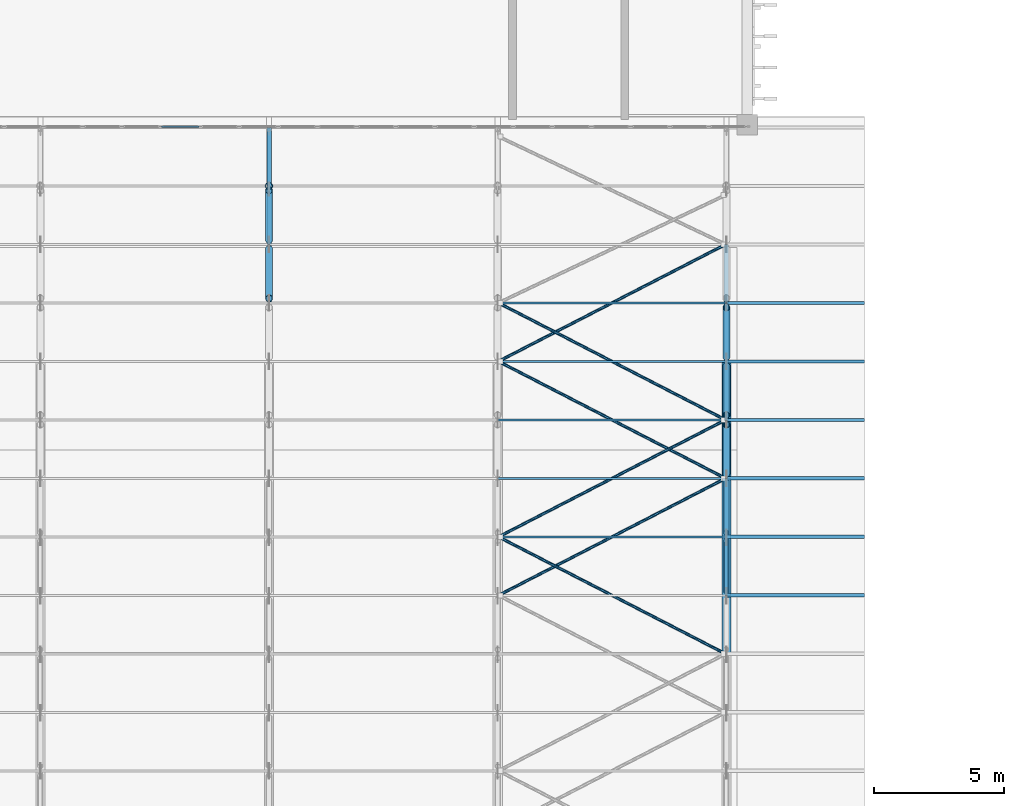
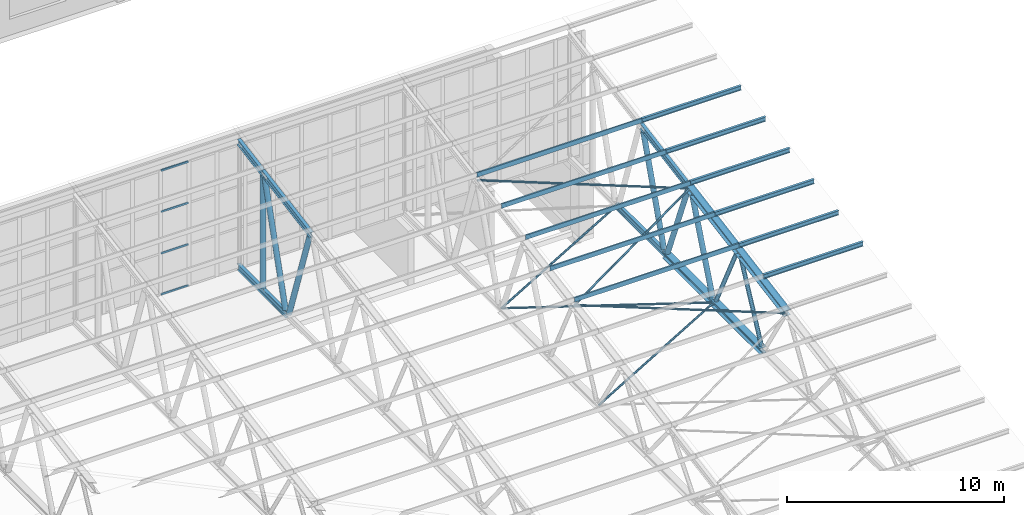
# One storey, part 64 of 185: 38 members, 1 element without a shape of its own.
"""IFC4 building model written with IfcOpenShell, lengths in metres."""

from ifc_helpers import new_model, si_unit, direction, frame, origin, origin_2d, place, context, subcontext, project, spatial, polyline, hollow_rectangle, hollow_circle, i_section, outline, extrude, material, layer, layer_set, material_profile, profile_set, type_object, element, aggregate, save


model = new_model("IFC4")

# Units and contexts
model_context = context("Model", 3, precision=1e-05, world=origin(), true_north=direction((0.0, 1.0)))
body_context = subcontext(model_context, "Body", "Model", "MODEL_VIEW")
ifc_project = project(units=[si_unit("LENGTHUNIT", "METRE"), si_unit("AREAUNIT", "SQUARE_METRE"), si_unit("VOLUMEUNIT", "CUBIC_METRE"), si_unit("PLANEANGLEUNIT", "RADIAN"), si_unit("MASSUNIT", "GRAM", prefix="KILO")], contexts=[model_context])

# Site, building, storey
site_placement = place(None, origin())
site = spatial("IfcSite", under=ifc_project, at=site_placement, CompositionType="ELEMENT")
building_placement = place(site_placement, origin())
building = spatial("IfcBuilding", under=site, at=building_placement, Name="Opaline Strait Convention Centre", CompositionType="ELEMENT")
storey_placement = place(building_placement, frame((0.0, 0.0, 6.0)))
storey = spatial("IfcBuildingStorey", under=building, at=storey_placement, Name="L01", CompositionType="ELEMENT", Elevation=6.0)

# Curtain wall, members
ifc_material_1 = material(Name="Aluminium 6063-T5", Category="aluminium")
ifc_layer = layer(ifc_material_1, 0.199951171875)
ifc_layer_set = layer_set([ifc_layer], Name="Aluminium 6063-T5")
curtain_wall_type = type_object("IfcCurtainWallType", Name="Unitised curtain wall 1640 module", PredefinedType="NOTDEFINED", material=ifc_layer_set)
curtain_wall_placement = place(storey_placement, origin())
curtain_wall = element("IfcCurtainWall", 1, at=curtain_wall_placement, inside=storey, type_object=curtain_wall_type, Name="Ballroom north clerestory curtain wall", PredefinedType="NOTDEFINED")
ifc_material_2 = material(Name="Aluminium alloy 6063", Category="aluminium")
ifc_material_profile_1 = material_profile(ifc_material_2, hollow_rectangle(XDim=0.06005859375, YDim=0.10009765625, WallThickness=0.0029296875, at=origin_2d()), Name="TRANSOM 60x100x3")
ifc_profile_set_1 = profile_set([ifc_material_profile_1], Name="Aluminium alloy 6063")
member_type_1 = type_object("IfcMemberType", Name="Curtain wall transom 60 x 100", PredefinedType="USERDEFINED", material=ifc_profile_set_1)
member_1_placement = place(storey_placement, frame((328.53857421875, 62.929931640625, 4.35498046875), z_axis=(1.0, 0.0, 0.0), x_axis=(0.0, 1.0, 0.0)))
member_1 = element("IfcMember", 2, at=member_1_placement, type_object=member_type_1, Name="BG2 transom 28.1", ObjectType="TRANSOM", PredefinedType="USERDEFINED", context=body_context, shape_type="SweptSolid", body=[
    extrude(hollow_rectangle(XDim=0.06005859375, YDim=0.10009765625, WallThickness=0.0029296875, at=origin_2d()), origin(), (0.0, 0.0, 1.0), 1.44140625),
])
member_2_placement = place(storey_placement, frame((328.53857421875, 62.929931640625, 6.663330078125), z_axis=(1.0, 0.0, 0.0), x_axis=(0.0, 1.0, 0.0)))
member_2 = element("IfcMember", 3, at=member_2_placement, type_object=member_type_1, Name="BG2 transom 28.2", ObjectType="TRANSOM", PredefinedType="USERDEFINED", context=body_context, shape_type="SweptSolid", body=[
    extrude(hollow_rectangle(XDim=0.06005859375, YDim=0.10009765625, WallThickness=0.0029296875, at=origin_2d()), origin(), (0.0, 0.0, 1.0), 1.44140625),
])
member_3_placement = place(storey_placement, frame((328.53857421875, 62.929931640625, 9.001708984375), z_axis=(1.0, 0.0, 0.0), x_axis=(0.0, 1.0, 0.0)))
member_3 = element("IfcMember", 4, at=member_3_placement, type_object=member_type_1, Name="BG2 transom 28.3", ObjectType="TRANSOM", PredefinedType="USERDEFINED", context=body_context, shape_type="SweptSolid", body=[
    extrude(hollow_rectangle(XDim=0.06005859375, YDim=0.10009765625, WallThickness=0.0029296875, at=origin_2d()), origin(), (0.0, 0.0, 1.0), 1.44140625),
])
member_4_placement = place(storey_placement, frame((328.53857421875, 62.929931640625, 11.31005859375), z_axis=(1.0, 0.0, 0.0), x_axis=(0.0, 1.0, 0.0)))
member_4 = element("IfcMember", 5, at=member_4_placement, type_object=member_type_1, Name="BG2 transom 28.4", ObjectType="TRANSOM", PredefinedType="USERDEFINED", context=body_context, shape_type="SweptSolid", body=[
    extrude(hollow_rectangle(XDim=0.06005859375, YDim=0.10009765625, WallThickness=0.0029296875, at=origin_2d()), origin(), (0.0, 0.0, 1.0), 1.44140625),
])
aggregate(curtain_wall, [member_1, member_2, member_3, member_4])

# Members
ifc_material_3 = material(Name="Steel Q355B", Category="steel")
ifc_material_profile_2 = material_profile(ifc_material_3, i_section(OverallWidth=0.125, OverallDepth=0.25, WebThickness=0.006103515625, FlangeThickness=0.009033203125, FilletRadius=0.008056640625, at=origin_2d()), Name="HN 250x125x6x9")
ifc_profile_set_2 = profile_set([ifc_material_profile_2], Name="Steel Q355B")
member_type_2 = type_object("IfcMemberType", Name="Eaves purlin HN 250x125x6x9", PredefinedType="RAFTER", material=ifc_profile_set_2)
for number, where, z_axis, x_axis, name in (
    (6, (350.199951171875, 44.949951171875, 8.675537109375), (1.0, 0.0, 0.0), (0.0, 1.0, 0.0), "BU2 purlin line 10 bay 9"),
    (7, (350.199951171875, 47.19384765625, 9.0712890625), (1.0, 0.0, 0.0), (0.0, 1.0, 0.0), "BU2 purlin line 11 bay 9"),
    (8, (350.199951171875, 49.4375, 9.467041015625), (1.0, 0.0, 0.0), (0.0, 1.0, 0.0), "BU2 purlin line 12 bay 9"),
    (9, (350.199951171875, 51.68115234375, 9.862548828125), (1.0, 0.0, 0.0), (0.0, 1.0, 0.0), "BU2 purlin line 13 bay 9"),
    (10, (350.199951171875, 53.925048828125, 10.25830078125), (1.0, 0.0, 0.0), (0.0, 1.0, 0.0), "BU2 purlin line 14 bay 9"),
    (11, (350.199951171875, 56.168701171875, 10.65380859375), (1.0, 0.0, 0.0), (0.0, 1.0, 0.0), "BU2 purlin line 15 bay 9"),
):
    element("IfcMember", number, at=place(storey_placement, frame(where, z_axis=z_axis, x_axis=x_axis)), inside=storey, type_object=member_type_2, Name=name, PredefinedType="RAFTER", context=body_context, shape_type="SweptSolid", body=[
        extrude(i_section(OverallWidth=0.125, OverallDepth=0.25, WebThickness=0.006103515625, FlangeThickness=0.009033203125, FilletRadius=0.008056640625, at=origin_2d()), origin(), (0.0, 0.0, 1.0), 5.300048828125),
    ])
ifc_material_profile_3 = material_profile(ifc_material_3, hollow_circle(Radius=0.056884765625, WallThickness=0.006103515625, at=origin_2d()), Name="CHS 114x6")
ifc_profile_set_3 = profile_set([ifc_material_profile_3], Name="Steel Q355B")
member_type_3 = type_object("IfcMemberType", Name="Roof plan brace CHS 114x6", PredefinedType="BRACE", material=ifc_profile_set_3)
member_5_placement = place(storey_placement, frame((350.16796875, 42.706298828125, 7.969482421875), z_axis=(-0.886011642776, 0.456619189308, 0.080512637645), x_axis=(-0.458106391397, -0.88889736987, 0.0)))
element("IfcMember", 12, at=member_5_placement, inside=storey, type_object=member_type_3, Name="BR1 top plane brace end bay 2 panel 4", PredefinedType="BRACE", context=body_context, shape_type="SweptSolid", body=[
    extrude(hollow_circle(Radius=0.056884765625, WallThickness=0.006103515625, at=origin_2d()), origin(), (0.0, 0.0, 1.0), 9.827880859375),
])
member_6_placement = place(storey_placement, frame((341.46044921875, 47.19384765625, 8.7607421875), z_axis=(0.886021692964, 0.456599526627, 0.080513550914), x_axis=(-0.458086698578, 0.888907518579, 0.0)))
element("IfcMember", 13, at=member_6_placement, inside=storey, type_object=member_type_3, Name="BR1 top plane brace end bay 2 panel 5", PredefinedType="BRACE", context=body_context, shape_type="SweptSolid", body=[
    extrude(hollow_circle(Radius=0.056884765625, WallThickness=0.006103515625, at=origin_2d()), origin(), (0.0, 0.0, 1.0), 9.82763671875),
])
member_7_placement = place(storey_placement, frame((350.16796875, 51.68115234375, 9.552001953125), z_axis=(-0.886065031129, 0.456518705493, 0.080494919999), x_axis=(-0.458004922776, -0.888949655893, 0.0)))
element("IfcMember", 14, at=member_7_placement, inside=storey, type_object=member_type_3, Name="BR1 top plane brace end bay 2 panel 6", PredefinedType="BRACE", context=body_context, shape_type="SweptSolid", body=[
    extrude(hollow_circle(Radius=0.056884765625, WallThickness=0.006103515625, at=origin_2d()), origin(), (0.0, 0.0, 1.0), 9.829833984375),
])
member_8_placement = place(storey_placement, frame((341.46044921875, 44.949951171875, 4.5), z_axis=(0.88889736987, 0.458106391397, 0.0), x_axis=(-0.458106391397, 0.88889736987, 0.0)))
element("IfcMember", 15, at=member_8_placement, inside=storey, type_object=member_type_3, Name="BR1 bottom plane brace end bay 2 panel 5", PredefinedType="BRACE", context=body_context, shape_type="SweptSolid", body=[
    extrude(hollow_circle(Radius=0.056884765625, WallThickness=0.006103515625, at=origin_2d()), origin(), (0.0, 0.0, 1.0), 9.7958984375),
])
member_9_placement = place(storey_placement, frame((350.16796875, 49.4375, 4.5), z_axis=(-0.888949655893, 0.458004922776, 0.0), x_axis=(-0.458004922776, -0.888949655893, 0.0)))
element("IfcMember", 16, at=member_9_placement, inside=storey, type_object=member_type_3, Name="BR1 bottom plane brace end bay 2 panel 6", PredefinedType="BRACE", context=body_context, shape_type="SweptSolid", body=[
    extrude(hollow_circle(Radius=0.056884765625, WallThickness=0.006103515625, at=origin_2d()), origin(), (0.0, 0.0, 1.0), 9.798095703125),
])
member_10_placement = place(storey_placement, frame((341.4580078125, 53.925048828125, 4.5), z_axis=(0.889007130404, 0.457893352312, 0.0), x_axis=(-0.457893352312, 0.889007130404, 0.0)))
element("IfcMember", 17, at=member_10_placement, inside=storey, type_object=member_type_3, Name="BR1 bottom plane brace end bay 2 panel 7", PredefinedType="BRACE", context=body_context, shape_type="SweptSolid", body=[
    extrude(hollow_circle(Radius=0.056884765625, WallThickness=0.006103515625, at=origin_2d()), origin(), (0.0, 0.0, 1.0), 9.800537109375),
])
ifc_material_profile_4 = material_profile(ifc_material_3, outline(polyline([(-0.03759765625, -0.125), (0.03759765625, -0.125), (0.03759765625, -0.10498046875), (0.034423828125, -0.10498046875), (0.034423828125, -0.1220703125), (-0.034423828125, -0.1220703125), (-0.034423828125, 0.1220703125), (0.034423828125, 0.1220703125), (0.034423828125, 0.10498046875), (0.03759765625, 0.10498046875), (0.03759765625, 0.125), (-0.03759765625, 0.125), (-0.03759765625, -0.125)])), Name="C 250x75x20x3")
ifc_profile_set_4 = profile_set([ifc_material_profile_4], Name="Steel Q355B")
member_type_4 = type_object("IfcMemberType", Name="Roof purlin C 250x75x20x3", PredefinedType="RAFTER", material=ifc_profile_set_4)
for number, where, z_axis, x_axis, name in (
    (18, (341.4287109375, 47.19384765625, 9.0712890625), (1.0, 0.0, 0.0), (0.0, 1.0, 0.0), "BU1 purlin line 11 bay 8"),
    (19, (341.4287109375, 49.4375, 9.467041015625), (1.0, 0.0, 0.0), (0.0, 1.0, 0.0), "BU1 purlin line 12 bay 8"),
    (20, (341.4287109375, 51.68115234375, 9.862548828125), (1.0, 0.0, 0.0), (0.0, 1.0, 0.0), "BU1 purlin line 13 bay 8"),
    (21, (341.4287109375, 53.925048828125, 10.25830078125), (1.0, 0.0, 0.0), (0.0, 1.0, 0.0), "BU1 purlin line 14 bay 8"),
    (22, (341.4287109375, 56.168701171875, 10.65380859375), (1.0, 0.0, 0.0), (0.0, 1.0, 0.0), "BU1 purlin line 15 bay 8"),
):
    element("IfcMember", number, at=place(storey_placement, frame(where, z_axis=z_axis, x_axis=x_axis)), inside=storey, type_object=member_type_4, Name=name, PredefinedType="RAFTER", context=body_context, shape_type="SweptSolid", body=[
        extrude(outline(polyline([(-0.03759765625, -0.125), (0.03759765625, -0.125), (0.03759765625, -0.10498046875), (0.034423828125, -0.10498046875), (0.034423828125, -0.1220703125), (-0.034423828125, -0.1220703125), (-0.034423828125, 0.1220703125), (0.034423828125, 0.1220703125), (0.034423828125, 0.10498046875), (0.03759765625, 0.10498046875), (0.03759765625, 0.125), (-0.03759765625, 0.125), (-0.03759765625, -0.125)])), origin(), (0.0, 0.0, 1.0), 8.771240234375),
    ])
ifc_material_profile_5 = material_profile(ifc_material_3, i_section(OverallWidth=0.175048828125, OverallDepth=0.35009765625, WebThickness=0.007080078125, FlangeThickness=0.010986328125, FilletRadius=0.012939453125, at=origin_2d()), Name="HN 350x175x7x11")
ifc_profile_set_5 = profile_set([ifc_material_profile_5], Name="Steel Q355B")
member_type_5 = type_object("IfcMemberType", Name="Truss bottom chord HN 350x175x7x11", PredefinedType="CHORD", material=ifc_profile_set_5)
member_11_placement = place(storey_placement, frame((332.656982421875, 58.41259765625, 4.5), z_axis=(0.0, 1.0, 0.0), x_axis=(-1.0, 0.0, 0.0)))
element("IfcMember", 23, at=member_11_placement, inside=storey, type_object=member_type_5, Name="BT2 bottom chord line 6 panel 8", PredefinedType="CHORD", context=body_context, shape_type="SweptSolid", body=[
    extrude(i_section(OverallWidth=0.175048828125, OverallDepth=0.35009765625, WebThickness=0.007080078125, FlangeThickness=0.010986328125, FilletRadius=0.012939453125, at=origin_2d()), origin(), (0.0, 0.0, 1.0), 4.4873046875),
])
member_12_placement = place(storey_placement, frame((350.199951171875, 53.925048828125, 4.5), z_axis=(0.0, 1.0, 0.0), x_axis=(-1.0, 0.0, 0.0)))
element("IfcMember", 24, at=member_12_placement, inside=storey, type_object=member_type_5, Name="BT2 bottom chord line 8 panel 7", PredefinedType="CHORD", context=body_context, shape_type="SweptSolid", body=[
    extrude(i_section(OverallWidth=0.175048828125, OverallDepth=0.35009765625, WebThickness=0.007080078125, FlangeThickness=0.010986328125, FilletRadius=0.012939453125, at=origin_2d()), origin(), (0.0, 0.0, 1.0), 4.487548828125),
])
ifc_material_profile_6 = material_profile(ifc_material_3, i_section(OverallWidth=0.35009765625, OverallDepth=0.35009765625, WebThickness=0.011962890625, FlangeThickness=0.01904296875, FilletRadius=0.012939453125, at=origin_2d()), Name="HW 350x350x12x19")
ifc_profile_set_6 = profile_set([ifc_material_profile_6], Name="Steel Q355B")
member_type_6 = type_object("IfcMemberType", Name="Truss bottom chord HW 350x350x12x19", PredefinedType="CHORD", material=ifc_profile_set_6)
for number, where, z_axis, x_axis, name in (
    (25, (350.199951171875, 44.949951171875, 4.5), (0.0, 1.0, 0.0), (-1.0, 0.0, 0.0), "BT4 bottom chord line 8 panel 5"),
    (26, (350.199951171875, 49.4375, 4.5), (0.0, 1.0, 0.0), (-1.0, 0.0, 0.0), "BT4 bottom chord line 8 panel 6"),
):
    element("IfcMember", number, at=place(storey_placement, frame(where, z_axis=z_axis, x_axis=x_axis)), inside=storey, type_object=member_type_6, Name=name, PredefinedType="CHORD", context=body_context, shape_type="SweptSolid", body=[
        extrude(i_section(OverallWidth=0.35009765625, OverallDepth=0.35009765625, WebThickness=0.011962890625, FlangeThickness=0.01904296875, FilletRadius=0.012939453125, at=origin_2d()), origin(), (0.0, 0.0, 1.0), 4.487548828125),
    ])
ifc_material_profile_7 = material_profile(ifc_material_3, i_section(OverallWidth=0.175048828125, OverallDepth=0.35009765625, WebThickness=0.007080078125, FlangeThickness=0.010986328125, FilletRadius=0.012939453125, at=origin_2d()), Name="HN 350x175x7x11")
ifc_profile_set_7 = profile_set([ifc_material_profile_7], Name="Steel Q355B")
member_type_7 = type_object("IfcMemberType", Name="Truss top chord HN 350x175x7x11", PredefinedType="CHORD", material=ifc_profile_set_7)
member_13_placement = place(storey_placement, frame((332.656982421875, 56.168701171875, 10.34326171875), z_axis=(0.0, 0.984808359847, 0.173644736101), x_axis=(-1.0, 0.0, 0.0)))
element("IfcMember", 27, at=member_13_placement, inside=storey, type_object=member_type_7, Name="BT1 top chord line 6 panel 9", PredefinedType="CHORD", context=body_context, shape_type="SweptSolid", body=[
    extrude(i_section(OverallWidth=0.175048828125, OverallDepth=0.35009765625, WebThickness=0.007080078125, FlangeThickness=0.010986328125, FilletRadius=0.012939453125, at=origin_2d()), origin(), (0.0, 0.0, 1.0), 4.556884765625),
])
member_14_placement = place(storey_placement, frame((332.656982421875, 60.65625, 11.134521484375), z_axis=(0.0, 0.984815906009, 0.173601933377), x_axis=(-1.0, 0.0, 0.0)))
element("IfcMember", 28, at=member_14_placement, inside=storey, type_object=member_type_7, Name="BT1 top chord line 6 panel 10", PredefinedType="CHORD", context=body_context, shape_type="SweptSolid", body=[
    extrude(i_section(OverallWidth=0.175048828125, OverallDepth=0.35009765625, WebThickness=0.007080078125, FlangeThickness=0.010986328125, FilletRadius=0.012939453125, at=origin_2d()), origin(), (0.0, 0.0, 1.0), 2.2783203125),
])
member_15_placement = place(storey_placement, frame((350.199951171875, 51.68115234375, 9.552001953125), z_axis=(0.0, 0.984808359847, 0.173644736101), x_axis=(-1.0, 0.0, 0.0)))
element("IfcMember", 29, at=member_15_placement, inside=storey, type_object=member_type_7, Name="BT1 top chord line 8 panel 8", PredefinedType="CHORD", context=body_context, shape_type="SweptSolid", body=[
    extrude(i_section(OverallWidth=0.175048828125, OverallDepth=0.35009765625, WebThickness=0.007080078125, FlangeThickness=0.010986328125, FilletRadius=0.012939453125, at=origin_2d()), origin(), (0.0, 0.0, 1.0), 4.556884765625),
])
ifc_material_profile_8 = material_profile(ifc_material_3, i_section(OverallWidth=0.35009765625, OverallDepth=0.35009765625, WebThickness=0.011962890625, FlangeThickness=0.01904296875, FilletRadius=0.012939453125, at=origin_2d()), Name="HW 350x350x12x19")
ifc_profile_set_8 = profile_set([ifc_material_profile_8], Name="Steel Q355B")
member_type_8 = type_object("IfcMemberType", Name="Truss top chord HW 350x350x12x19", PredefinedType="CHORD", material=ifc_profile_set_8)
member_16_placement = place(storey_placement, frame((350.199951171875, 42.706298828125, 7.969482421875), z_axis=(0.0, 0.984808359847, 0.173644736101), x_axis=(-1.0, 0.0, 0.0)))
element("IfcMember", 30, at=member_16_placement, inside=storey, type_object=member_type_8, Name="BT3 top chord line 8 panel 6", PredefinedType="CHORD", context=body_context, shape_type="SweptSolid", body=[
    extrude(i_section(OverallWidth=0.35009765625, OverallDepth=0.35009765625, WebThickness=0.011962890625, FlangeThickness=0.01904296875, FilletRadius=0.012939453125, at=origin_2d()), origin(), (0.0, 0.0, 1.0), 4.556884765625),
])
member_17_placement = place(storey_placement, frame((350.199951171875, 47.19384765625, 8.7607421875), z_axis=(0.0, 0.984806744223, 0.173653898696), x_axis=(-1.0, 0.0, 0.0)))
element("IfcMember", 31, at=member_17_placement, inside=storey, type_object=member_type_8, Name="BT3 top chord line 8 panel 7", PredefinedType="CHORD", context=body_context, shape_type="SweptSolid", body=[
    extrude(i_section(OverallWidth=0.35009765625, OverallDepth=0.35009765625, WebThickness=0.011962890625, FlangeThickness=0.01904296875, FilletRadius=0.012939453125, at=origin_2d()), origin(), (0.0, 0.0, 1.0), 4.556640625),
])
ifc_material_profile_9 = material_profile(ifc_material_3, hollow_circle(Radius=0.109619140625, WallThickness=0.010009765625, at=origin_2d()), Name="CHS 219x10")
ifc_profile_set_9 = profile_set([ifc_material_profile_9], Name="Steel Q355B")
member_type_9 = type_object("IfcMemberType", Name="Truss web CHS 219x10", PredefinedType="BRACE", material=ifc_profile_set_9)
member_18_placement = place(storey_placement, frame((350.199951171875, 45.102294921875, 4.678955078125), z_axis=(0.0, 0.447641909675, 0.89421290569), x_axis=(-1.0, 0.0, 0.0)))
element("IfcMember", 32, at=member_18_placement, inside=storey, type_object=member_type_9, Name="BW3 web line 8 member 9", PredefinedType="BRACE", context=body_context, shape_type="SweptSolid", body=[
    extrude(hollow_circle(Radius=0.109619140625, WallThickness=0.010009765625, at=origin_2d()), origin(), (0.0, 0.0, 1.0), 4.33154296875),
])
member_19_placement = place(storey_placement, frame((350.199951171875, 49.285400390625, 4.678955078125), z_axis=(0.0, -0.44283785295, 0.896601715364), x_axis=(1.0, 0.0, 0.0)))
element("IfcMember", 33, at=member_19_placement, inside=storey, type_object=member_type_9, Name="BW3 web line 8 member 10", PredefinedType="BRACE", context=body_context, shape_type="SweptSolid", body=[
    extrude(hollow_circle(Radius=0.109619140625, WallThickness=0.010009765625, at=origin_2d()), origin(), (0.0, 0.0, 1.0), 4.379638671875),
])
ifc_material_profile_10 = material_profile(ifc_material_3, hollow_circle(Radius=0.136474609375, WallThickness=0.011962890625, at=origin_2d()), Name="CHS 273x12")
ifc_profile_set_10 = profile_set([ifc_material_profile_10], Name="Steel Q355B")
member_type_10 = type_object("IfcMemberType", Name="Truss web CHS 273x12", PredefinedType="BRACE", material=ifc_profile_set_10)
member_20_placement = place(storey_placement, frame((332.656982421875, 58.23828125, 4.678955078125), z_axis=(0.0, -0.325083279509, 0.945685392392), x_axis=(1.0, 0.0, 0.0)))
element("IfcMember", 34, at=member_20_placement, inside=storey, type_object=member_type_10, Name="BW4 web line 6 member 14", PredefinedType="BRACE", context=body_context, shape_type="SweptSolid", body=[
    extrude(hollow_circle(Radius=0.136474609375, WallThickness=0.011962890625, at=origin_2d()), origin(), (0.0, 0.0, 1.0), 5.830078125),
])
member_21_placement = place(storey_placement, frame((332.656982421875, 58.585205078125, 4.678955078125), z_axis=(0.0, 0.290918943534, 0.956747703574), x_axis=(-1.0, 0.0, 0.0)))
element("IfcMember", 35, at=member_21_placement, inside=storey, type_object=member_type_10, Name="BW4 web line 6 member 15", PredefinedType="BRACE", context=body_context, shape_type="SweptSolid", body=[
    extrude(hollow_circle(Radius=0.136474609375, WallThickness=0.011962890625, at=origin_2d()), origin(), (0.0, 0.0, 1.0), 6.525634765625),
])
member_22_placement = place(storey_placement, frame((332.656982421875, 60.65625, 4.675048828125), z_axis=(0.0, 0.0, 1.0), x_axis=(1.0, 0.0, 0.0)))
element("IfcMember", 36, at=member_22_placement, inside=storey, type_object=member_type_10, Name="BW4 frame post line 6", PredefinedType="BRACE", context=body_context, shape_type="SweptSolid", body=[
    extrude(hollow_circle(Radius=0.136474609375, WallThickness=0.011962890625, at=origin_2d()), origin(), (0.0, 0.0, 1.0), 6.28173828125),
])
member_23_placement = place(storey_placement, frame((350.199951171875, 49.61474609375, 4.678955078125), z_axis=(0.0, 0.375689331062, 0.926745664423), x_axis=(-1.0, 0.0, 0.0)))
element("IfcMember", 37, at=member_23_placement, inside=storey, type_object=member_type_10, Name="BW4 web line 8 member 11", PredefinedType="BRACE", context=body_context, shape_type="SweptSolid", body=[
    extrude(hollow_circle(Radius=0.136474609375, WallThickness=0.011962890625, at=origin_2d()), origin(), (0.0, 0.0, 1.0), 5.028564453125),
])
member_24_placement = place(storey_placement, frame((350.199951171875, 53.748046875, 4.678955078125), z_axis=(0.0, -0.371547903904, 0.928413784422), x_axis=(1.0, 0.0, 0.0)))
element("IfcMember", 38, at=member_24_placement, inside=storey, type_object=member_type_10, Name="BW4 web line 8 member 12", PredefinedType="BRACE", context=body_context, shape_type="SweptSolid", body=[
    extrude(hollow_circle(Radius=0.136474609375, WallThickness=0.011962890625, at=origin_2d()), origin(), (0.0, 0.0, 1.0), 5.08642578125),
])
member_25_placement = place(storey_placement, frame((350.199951171875, 54.099365234375, 4.678955078125), z_axis=(0.0, 0.328320466783, 0.944566393162), x_axis=(-1.0, 0.0, 0.0)))
element("IfcMember", 39, at=member_25_placement, inside=storey, type_object=member_type_10, Name="BW4 web line 8 member 13", PredefinedType="BRACE", context=body_context, shape_type="SweptSolid", body=[
    extrude(hollow_circle(Radius=0.136474609375, WallThickness=0.011962890625, at=origin_2d()), origin(), (0.0, 0.0, 1.0), 5.77197265625),
])

save(model, "model.ifc")
